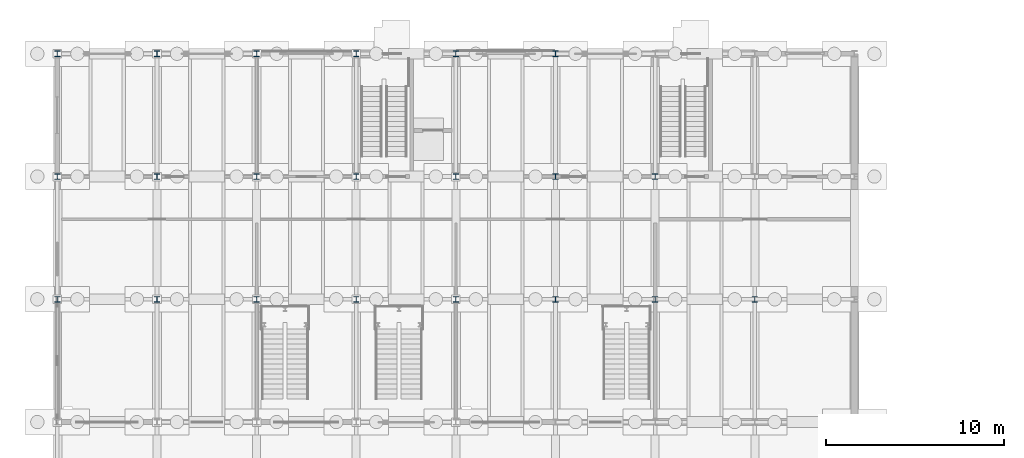
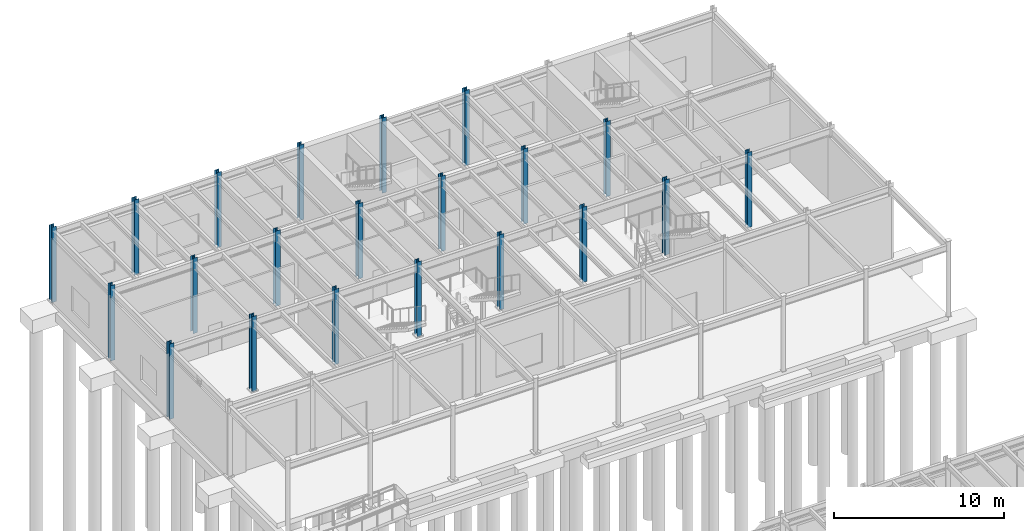
# One storey, part 20 of 82: 21 columns.
"""IFC4 building model written with IfcOpenShell, lengths in metres."""

from ifc_helpers import new_model, si_unit, direction, frame, origin, origin_2d, place, context, subcontext, project, spatial, i_section, extrude, material, material_profile, profile_set, type_object, element, save


model = new_model("IFC4")

# Units and contexts
model_context = context("Model", 3, precision=1e-05, world=origin(), true_north=direction((0.0, 1.0)))
body_context = subcontext(model_context, "Body", "Model", "MODEL_VIEW")
ifc_project = project(units=[si_unit("LENGTHUNIT", "METRE"), si_unit("AREAUNIT", "SQUARE_METRE"), si_unit("VOLUMEUNIT", "CUBIC_METRE"), si_unit("PLANEANGLEUNIT", "RADIAN"), si_unit("MASSUNIT", "GRAM", prefix="KILO")], contexts=[model_context])

# Site, building, storey
site_placement = place(None, origin())
site = spatial("IfcSite", under=ifc_project, at=site_placement, CompositionType="ELEMENT")
building_placement = place(site_placement, origin())
building = spatial("IfcBuilding", under=site, at=building_placement, Name="Trelmorton Wharf Fire Station", CompositionType="ELEMENT")
storey_placement = place(building_placement, origin())
storey = spatial("IfcBuildingStorey", under=building, at=storey_placement, Name="L00", CompositionType="ELEMENT", Elevation=0.0)

# Columns
ifc_material = material(Name="Steel Grade 350", Category="steel")
ifc_material_profile = material_profile(ifc_material, i_section(OverallWidth=0.306884765625, OverallDepth=0.31494140625, WebThickness=0.011962890625, FlangeThickness=0.018798828125, FilletRadius=0.0166015625, at=origin_2d()), Name="310UC118")
ifc_profile_set = profile_set([ifc_material_profile], Name="Steel Grade 350")
column_type = type_object("IfcColumnType", Name="COL_310UC118", PredefinedType="COLUMN", material=ifc_profile_set)
for number, where, z_axis, x_axis, name in (
    (1, (0.800048828125, 67.199951171875, 0.0), (0.0, 0.0, 1.0), (1.0, 0.0, 0.0), "COL-L00-0009"),
    (2, (0.800048828125, 74.10009765625, 0.0), (0.0, 0.0, 1.0), (1.0, 0.0, 0.0), "COL-L00-0010"),
    (3, (0.800048828125, 81.0, 0.0), (0.0, 0.0, 1.0), (1.0, 0.0, 0.0), "COL-L00-0011"),
    (4, (6.39990234375, 67.199951171875, 0.0), (0.0, 0.0, 1.0), (1.0, 0.0, 0.0), "COL-L00-0020"),
    (5, (6.39990234375, 74.10009765625, 0.0), (0.0, 0.0, 1.0), (1.0, 0.0, 0.0), "COL-L00-0021"),
    (6, (6.39990234375, 81.0, 0.0), (0.0, 0.0, 1.0), (1.0, 0.0, 0.0), "COL-L00-0022"),
    (7, (12.0, 67.199951171875, 0.0), (0.0, 0.0, 1.0), (1.0, 0.0, 0.0), "COL-L00-0029"),
    (8, (12.0, 74.10009765625, 0.0), (0.0, 0.0, 1.0), (1.0, 0.0, 0.0), "COL-L00-0030"),
    (9, (12.0, 81.0, 0.0), (0.0, 0.0, 1.0), (1.0, 0.0, 0.0), "COL-L00-0031"),
    (10, (17.60009765625, 67.199951171875, 0.0), (0.0, 0.0, 1.0), (1.0, 0.0, 0.0), "COL-L00-0038"),
    (11, (17.60009765625, 74.10009765625, 0.0), (0.0, 0.0, 1.0), (1.0, 0.0, 0.0), "COL-L00-0039"),
    (12, (17.60009765625, 81.0, 0.0), (0.0, 0.0, 1.0), (1.0, 0.0, 0.0), "COL-L00-0040"),
    (13, (23.199951171875, 67.199951171875, 0.0), (0.0, 0.0, 1.0), (1.0, 0.0, 0.0), "COL-L00-0047"),
    (14, (23.199951171875, 74.10009765625, 0.0), (0.0, 0.0, 1.0), (1.0, 0.0, 0.0), "COL-L00-0048"),
    (15, (23.199951171875, 81.0, 0.0), (0.0, 0.0, 1.0), (1.0, 0.0, 0.0), "COL-L00-0049"),
    (16, (28.800048828125, 67.199951171875, 0.0), (0.0, 0.0, 1.0), (1.0, 0.0, 0.0), "COL-L00-0056"),
    (17, (28.800048828125, 74.10009765625, 0.0), (0.0, 0.0, 1.0), (1.0, 0.0, 0.0), "COL-L00-0057"),
    (18, (28.800048828125, 81.0, 0.0), (0.0, 0.0, 1.0), (1.0, 0.0, 0.0), "COL-L00-0058"),
    (19, (34.39990234375, 67.199951171875, 0.0), (0.0, 0.0, 1.0), (1.0, 0.0, 0.0), "COL-L00-0065"),
    (20, (34.39990234375, 74.10009765625, 0.0), (0.0, 0.0, 1.0), (1.0, 0.0, 0.0), "COL-L00-0066"),
    (21, (40.0, 67.199951171875, 0.0), (0.0, 0.0, 1.0), (1.0, 0.0, 0.0), "COL-L00-0074"),
):
    element("IfcColumn", number, at=place(storey_placement, frame(where, z_axis=z_axis, x_axis=x_axis)), inside=storey, type_object=column_type, Name=name, PredefinedType="COLUMN", context=body_context, shape_type="SweptSolid", body=[
        extrude(i_section(OverallWidth=0.306884765625, OverallDepth=0.31494140625, WebThickness=0.011962890625, FlangeThickness=0.018798828125, FilletRadius=0.0166015625, at=origin_2d()), origin(), (0.0, 0.0, 1.0), 5.39990234375),
    ])

save(model, "model.ifc")
